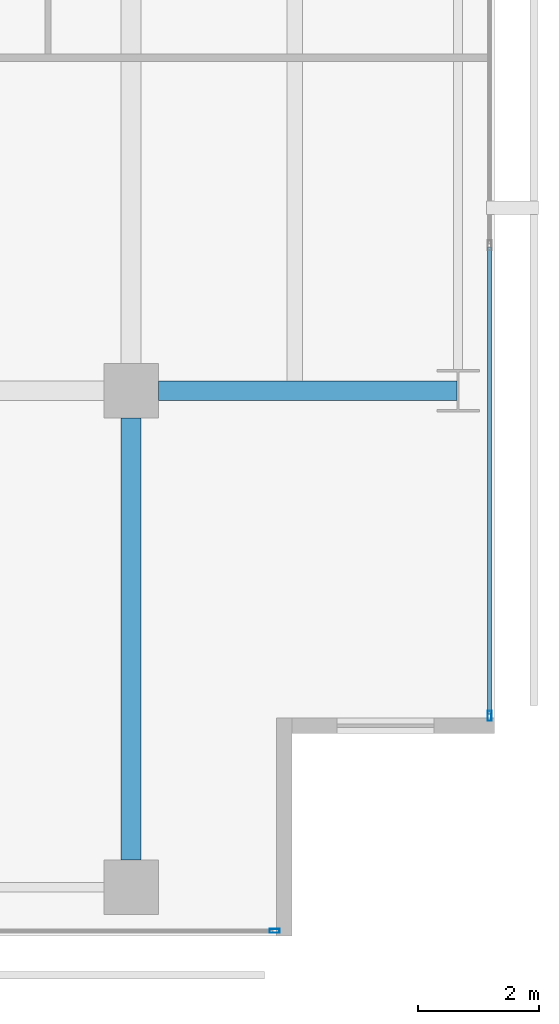
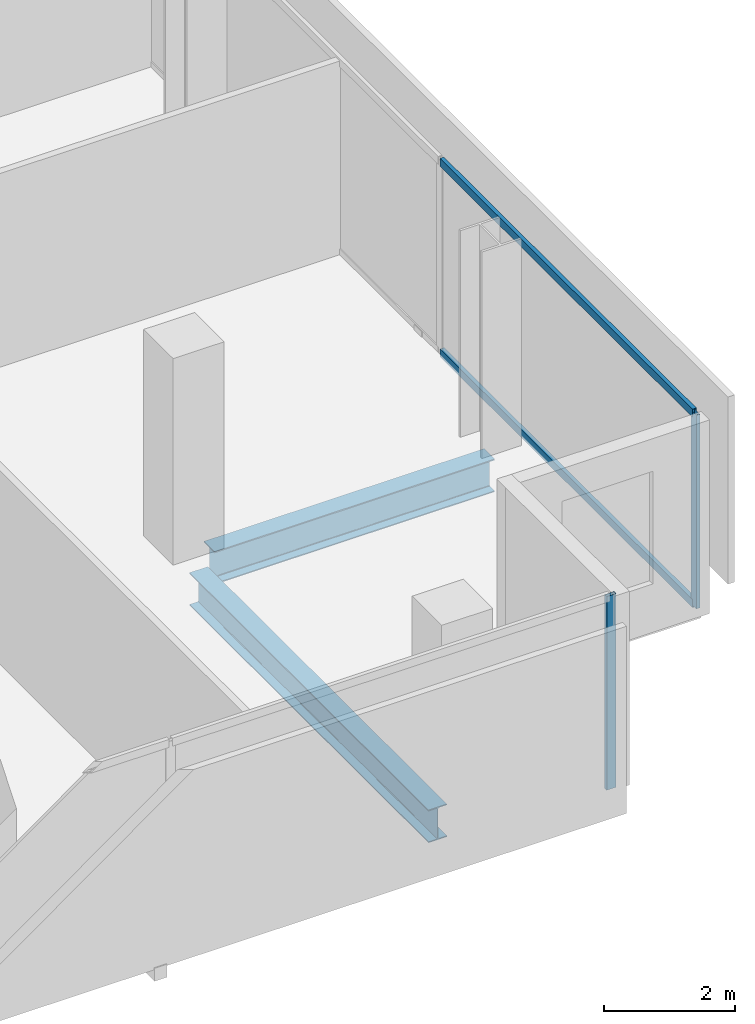
# One storey, part 16 of 40: 4 members, 2 beams, 2 elements without a shape of their own.
"""IFC4 building model written with IfcOpenShell, lengths in metres."""

from ifc_helpers import new_model, si_unit, direction, frame, origin, origin_2d, place, context, subcontext, project, spatial, hollow_rectangle, i_section, extrude, material, layer, layer_set, material_profile, profile_set, type_object, element, aggregate, save


model = new_model("IFC4")

# Units and contexts
model_context = context("Model", 3, precision=1e-05, world=origin(), true_north=direction((0.0, 1.0)))
body_context = subcontext(model_context, "Body", "Model", "MODEL_VIEW")
ifc_project = project(units=[si_unit("LENGTHUNIT", "METRE"), si_unit("AREAUNIT", "SQUARE_METRE"), si_unit("VOLUMEUNIT", "CUBIC_METRE"), si_unit("PLANEANGLEUNIT", "RADIAN"), si_unit("MASSUNIT", "GRAM", prefix="KILO")], contexts=[model_context])

# Site, building, storey
site_placement = place(None, origin())
site = spatial("IfcSite", under=ifc_project, at=site_placement, CompositionType="ELEMENT")
building_placement = place(site_placement, origin())
building = spatial("IfcBuilding", under=site, at=building_placement, Name="Maruvema Waterfront Hotel and Observation Tower", CompositionType="ELEMENT")
storey_placement = place(building_placement, frame((0.0, 0.0, 92.39990234375)))
storey = spatial("IfcBuildingStorey", under=building, at=storey_placement, Name="L22", CompositionType="ELEMENT", Elevation=92.39990234375)

# Curtain wall, members
ifc_material_1 = material(Name="Anodised bronze aluminium and solar-control low-E IGU", Category="aluminium")
ifc_layer = layer(ifc_material_1, 0.159912109375, Name="Zone 1 Bronze Inner Thermal Curtain Wall System CW-02")
ifc_layer_set = layer_set([ifc_layer], Name="Anodised bronze aluminium and solar-control low-E IGU")
curtain_wall_type = type_object("IfcCurtainWallType", Name="Zone 1 Bronze Inner Thermal Curtain Wall System CW-02", PredefinedType="USERDEFINED", material=ifc_layer_set)
curtain_wall_1_placement = place(storey_placement, origin())
curtain_wall_1 = element("IfcCurtainWall", 1, at=curtain_wall_1_placement, inside=storey, type_object=curtain_wall_type, Name="L22 Curtain Wall CW-L22-E", ObjectType="UNITISED CURTAIN WALL", PredefinedType="USERDEFINED")
ifc_material_2 = material(Name="Anodised architectural bronze aluminium", Category="aluminium")
ifc_material_profile_1 = material_profile(ifc_material_2, hollow_rectangle(XDim=0.070068359375, YDim=0.14990234375, WallThickness=0.00390625, at=origin_2d()), Name="ALU-T70x150")
ifc_profile_set_1 = profile_set([ifc_material_profile_1], Name="Anodised architectural bronze aluminium")
member_type_1 = type_object("IfcMemberType", Name="Curtain Wall Horizontal Transom ALU-T70x150", PredefinedType="USERDEFINED", material=ifc_profile_set_1)
member_1_placement = place(storey_placement, frame((64.719970703125, 3.659912109375, 0.030029296875), z_axis=(0.0, 1.0, 0.0), x_axis=(-1.0, 0.0, 0.0)))
member_1 = element("IfcMember", 2, at=member_1_placement, type_object=member_type_1, Name="CW-02 transom 1.1", ObjectType="TRANSOM", PredefinedType="USERDEFINED", context=body_context, shape_type="SweptSolid", body=[
    extrude(hollow_rectangle(XDim=0.070068359375, YDim=0.14990234375, WallThickness=0.00390625, at=origin_2d()), origin(), (0.0, 0.0, 1.0), 7.710205078125),
])
member_2_placement = place(storey_placement, frame((64.719970703125, 3.659912109375, 3.580078125), z_axis=(0.0, 1.0, 0.0), x_axis=(-1.0, 0.0, 0.0)))
member_2 = element("IfcMember", 3, at=member_2_placement, type_object=member_type_1, Name="CW-02 transom 1.2", ObjectType="TRANSOM", PredefinedType="USERDEFINED", context=body_context, shape_type="SweptSolid", body=[
    extrude(hollow_rectangle(XDim=0.070068359375, YDim=0.14990234375, WallThickness=0.00390625, at=origin_2d()), origin(), (0.0, 0.0, 1.0), 7.710205078125),
])

# Curtain wall, member
curtain_wall_2_placement = place(storey_placement, origin())
curtain_wall_2 = element("IfcCurtainWall", 4, at=curtain_wall_2_placement, inside=storey, type_object=curtain_wall_type, Name="L22 Curtain Wall CW-L22-S", ObjectType="UNITISED CURTAIN WALL", PredefinedType="USERDEFINED")
ifc_material_3 = material(Name="Anodised architectural bronze aluminium", Category="aluminium")
ifc_material_profile_2 = material_profile(ifc_material_3, hollow_rectangle(XDim=0.06494140625, YDim=0.1650390625, WallThickness=0.00390625, at=origin_2d()), Name="ALU-M65x165")
ifc_profile_set_2 = profile_set([ifc_material_profile_2], Name="Anodised architectural bronze aluminium")
member_type_2 = type_object("IfcMemberType", Name="Curtain Wall Primary Mullion ALU-M65x165", PredefinedType="MULLION", material=ifc_profile_set_2)
member_3_placement = place(storey_placement, frame((61.169921875, 0.080078125, 0.0), z_axis=(0.0, 0.0, 1.0), x_axis=(0.0, 1.0, 0.0)))
member_3 = element("IfcMember", 5, at=member_3_placement, type_object=member_type_2, Name="CW-02 mullion 7", PredefinedType="MULLION", context=body_context, shape_type="SweptSolid", body=[
    extrude(hollow_rectangle(XDim=0.06494140625, YDim=0.1650390625, WallThickness=0.00390625, at=origin_2d()), origin(), (0.0, 0.0, 1.0), 3.610107421875),
])
aggregate(curtain_wall_2, [member_3])

# Member
member_4_placement = place(storey_placement, frame((64.719970703125, 3.6298828125, 0.0), z_axis=(0.0, 0.0, 1.0), x_axis=(-1.0, 0.0, 0.0)))
member_4 = element("IfcMember", 6, at=member_4_placement, type_object=member_type_2, Name="CW-02 mullion 1", PredefinedType="MULLION", context=body_context, shape_type="SweptSolid", body=[
    extrude(hollow_rectangle(XDim=0.06494140625, YDim=0.1650390625, WallThickness=0.00390625, at=origin_2d()), origin(), (0.0, 0.0, 1.0), 3.610107421875),
])

aggregate(curtain_wall_1, [member_4, member_1, member_2])

# Beams
ifc_material_4 = material(Name="Steel ASTM A572 Grade 50", Category="steel")
ifc_material_profile_3 = material_profile(ifc_material_4, i_section(OverallWidth=0.323974609375, OverallDepth=0.611083984375, WebThickness=0.0126953125, FlangeThickness=0.01904296875, FilletRadius=0.01806640625, at=origin_2d()), Name="W610x155.0")
ifc_profile_set_3 = profile_set([ifc_material_profile_3], Name="Steel ASTM A572 Grade 50")
beam_type = type_object("IfcBeamType", Name="Primary Floor Girder W610x155.0", PredefinedType="BEAM", material=ifc_profile_set_3)
beam_1_placement = place(storey_placement, frame((59.25, 9.0, -0.54541015625), z_axis=(1.0, 0.0, 0.0), x_axis=(0.0, 1.0, 0.0)))
element("IfcBeam", 7, at=beam_1_placement, inside=storey, type_object=beam_type, Name="L22 Floor Girder EW-12", PredefinedType="BEAM", context=body_context, shape_type="SweptSolid", body=[
    extrude(i_section(OverallWidth=0.323974609375, OverallDepth=0.611083984375, WebThickness=0.0126953125, FlangeThickness=0.01904296875, FilletRadius=0.01806640625, at=origin_2d()), origin(), (0.0, 0.0, 1.0), 4.93603515625),
])
beam_2_placement = place(storey_placement, frame((58.800048828125, 1.25, -0.54541015625), z_axis=(0.0, 1.0, 0.0), x_axis=(-1.0, 0.0, 0.0)))
element("IfcBeam", 8, at=beam_2_placement, inside=storey, type_object=beam_type, Name="L22 Floor Girder NS-27", PredefinedType="BEAM", context=body_context, shape_type="SweptSolid", body=[
    extrude(i_section(OverallWidth=0.323974609375, OverallDepth=0.611083984375, WebThickness=0.0126953125, FlangeThickness=0.01904296875, FilletRadius=0.01806640625, at=origin_2d()), origin(), (0.0, 0.0, 1.0), 7.300048828125),
])

save(model, "model.ifc")
